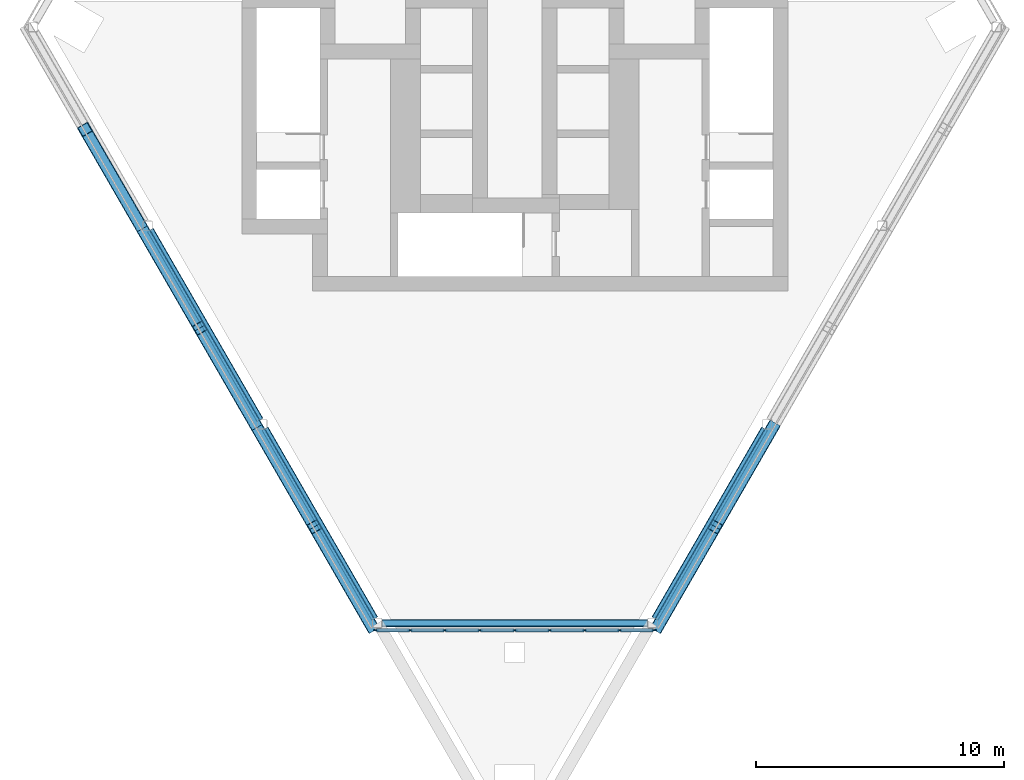
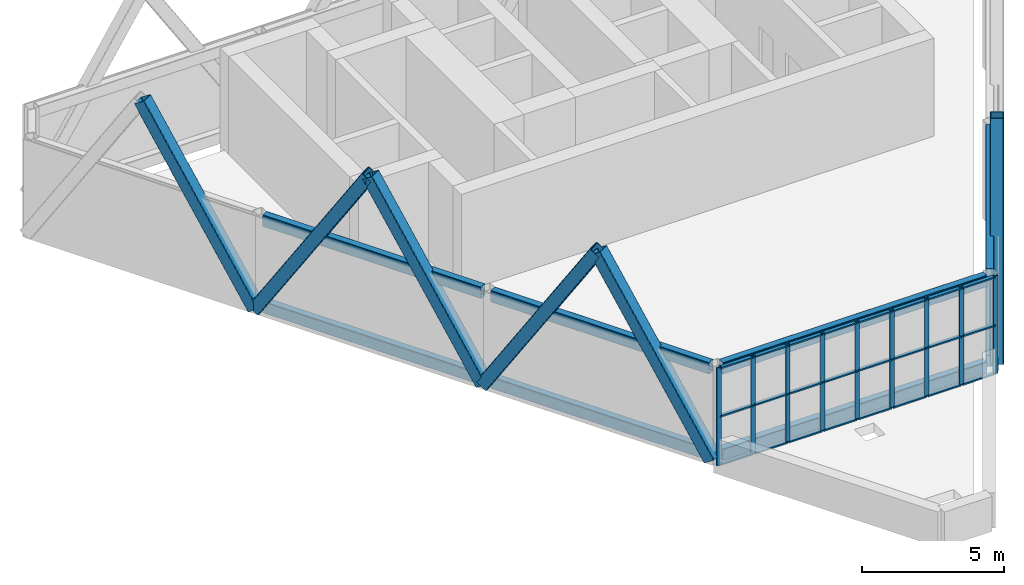
# One storey, part 2 of 5: 40 members, 8 beams, 1 element without a shape of its own.
"""IFC4 building model written with IfcOpenShell, lengths in metres."""

from ifc_helpers import new_model, si_unit, direction, frame, origin, origin_2d, place, context, subcontext, project, spatial, rectangle, hollow_rectangle, extrude, material, material_profile, profile_set, type_object, element, aggregate, save


model = new_model("IFC4")

# Units and contexts
model_context = context("Model", 3, precision=1e-05, world=origin(), true_north=direction((0.0, 1.0)))
body_context = subcontext(model_context, "Body", "Model", "MODEL_VIEW")
ifc_project = project(units=[si_unit("LENGTHUNIT", "METRE"), si_unit("AREAUNIT", "SQUARE_METRE"), si_unit("VOLUMEUNIT", "CUBIC_METRE"), si_unit("PLANEANGLEUNIT", "RADIAN"), si_unit("MASSUNIT", "GRAM", prefix="KILO")], contexts=[model_context])

# Site, building, storey
site_placement = place(None, origin())
site = spatial("IfcSite", under=ifc_project, at=site_placement, CompositionType="ELEMENT")
building_placement = place(site_placement, origin())
building = spatial("IfcBuilding", under=site, at=building_placement, Name="Aloe Facet Convention Tower", CompositionType="ELEMENT")
storey_placement = place(building_placement, frame((0.0, 0.0, 285.5)))
storey = spatial("IfcBuildingStorey", under=building, at=storey_placement, Name="C1", CompositionType="ELEMENT", Elevation=285.5)

# Curtain wall, members
ifc_material_1 = material(Name="Aluminium, anodised", Category="aluminium")
curtain_wall_type = type_object("IfcCurtainWallType", Name="EV-CW-CROWN", PredefinedType="USERDEFINED", material=ifc_material_1)
curtain_wall_placement = place(storey_placement, origin())
curtain_wall = element("IfcCurtainWall", 1, at=curtain_wall_placement, inside=storey, type_object=curtain_wall_type, Name="CW-C1-Z09", ObjectType="CROWN SCREEN GLAZING", PredefinedType="USERDEFINED")
ifc_material_2 = material(Name="Aluminium, anodised", Category="aluminium")
ifc_material_profile_1 = material_profile(ifc_material_2, rectangle(XDim=0.06005859375, YDim=0.179931640625, at=origin_2d()), Name="AL 60x180")
ifc_profile_set_1 = profile_set([ifc_material_profile_1], Name="Aluminium, anodised")
member_type_1 = type_object("IfcMemberType", Name="EV-MULL-CROWN", PredefinedType="MULLION", material=ifc_profile_set_1)
member_1_placement = place(storey_placement, frame((74.401611328125, 108.890625, 0.0), z_axis=(0.0, 0.0, 1.0), x_axis=(0.0, 1.0, 0.0)))
member_1 = element("IfcMember", 2, at=member_1_placement, type_object=member_type_1, Name="CW-C1-Z09 mullion 1", PredefinedType="MULLION", context=body_context, shape_type="SweptSolid", body=[
    extrude(rectangle(XDim=0.06005859375, YDim=0.179931640625, at=origin_2d()), origin(), (0.0, 0.0, 1.0), 4.199951171875),
])
member_2_placement = place(storey_placement, frame((75.77880859375, 108.890625, 0.0), z_axis=(0.0, 0.0, 1.0), x_axis=(0.0, 1.0, 0.0)))
member_2 = element("IfcMember", 3, at=member_2_placement, type_object=member_type_1, Name="CW-C1-Z09 mullion 2", PredefinedType="MULLION", context=body_context, shape_type="SweptSolid", body=[
    extrude(rectangle(XDim=0.06005859375, YDim=0.179931640625, at=origin_2d()), origin(), (0.0, 0.0, 1.0), 4.199951171875),
])
member_3_placement = place(storey_placement, frame((77.185791015625, 108.890625, 0.0), z_axis=(0.0, 0.0, 1.0), x_axis=(0.0, 1.0, 0.0)))
member_3 = element("IfcMember", 4, at=member_3_placement, type_object=member_type_1, Name="CW-C1-Z09 mullion 3", PredefinedType="MULLION", context=body_context, shape_type="SweptSolid", body=[
    extrude(rectangle(XDim=0.06005859375, YDim=0.179931640625, at=origin_2d()), origin(), (0.0, 0.0, 1.0), 4.199951171875),
])
member_4_placement = place(storey_placement, frame((78.593017578125, 108.890625, 0.0), z_axis=(0.0, 0.0, 1.0), x_axis=(0.0, 1.0, 0.0)))
member_4 = element("IfcMember", 5, at=member_4_placement, type_object=member_type_1, Name="CW-C1-Z09 mullion 4", PredefinedType="MULLION", context=body_context, shape_type="SweptSolid", body=[
    extrude(rectangle(XDim=0.06005859375, YDim=0.179931640625, at=origin_2d()), origin(), (0.0, 0.0, 1.0), 4.199951171875),
])
member_5_placement = place(storey_placement, frame((80.0, 108.890625, 0.0), z_axis=(0.0, 0.0, 1.0), x_axis=(0.0, 1.0, 0.0)))
member_5 = element("IfcMember", 6, at=member_5_placement, type_object=member_type_1, Name="CW-C1-Z09 mullion 5", PredefinedType="MULLION", context=body_context, shape_type="SweptSolid", body=[
    extrude(rectangle(XDim=0.06005859375, YDim=0.179931640625, at=origin_2d()), origin(), (0.0, 0.0, 1.0), 4.199951171875),
])
member_6_placement = place(storey_placement, frame((81.406982421875, 108.890625, 0.0), z_axis=(0.0, 0.0, 1.0), x_axis=(0.0, 1.0, 0.0)))
member_6 = element("IfcMember", 7, at=member_6_placement, type_object=member_type_1, Name="CW-C1-Z09 mullion 6", PredefinedType="MULLION", context=body_context, shape_type="SweptSolid", body=[
    extrude(rectangle(XDim=0.06005859375, YDim=0.179931640625, at=origin_2d()), origin(), (0.0, 0.0, 1.0), 4.199951171875),
])
member_7_placement = place(storey_placement, frame((82.814208984375, 108.890625, 0.0), z_axis=(0.0, 0.0, 1.0), x_axis=(0.0, 1.0, 0.0)))
member_7 = element("IfcMember", 8, at=member_7_placement, type_object=member_type_1, Name="CW-C1-Z09 mullion 7", PredefinedType="MULLION", context=body_context, shape_type="SweptSolid", body=[
    extrude(rectangle(XDim=0.06005859375, YDim=0.179931640625, at=origin_2d()), origin(), (0.0, 0.0, 1.0), 4.199951171875),
])
member_8_placement = place(storey_placement, frame((84.22119140625, 108.890625, 0.0), z_axis=(0.0, 0.0, 1.0), x_axis=(0.0, 1.0, 0.0)))
member_8 = element("IfcMember", 9, at=member_8_placement, type_object=member_type_1, Name="CW-C1-Z09 mullion 8", PredefinedType="MULLION", context=body_context, shape_type="SweptSolid", body=[
    extrude(rectangle(XDim=0.06005859375, YDim=0.179931640625, at=origin_2d()), origin(), (0.0, 0.0, 1.0), 4.199951171875),
])
member_9_placement = place(storey_placement, frame((85.598388671875, 108.890625, 0.0), z_axis=(0.0, 0.0, 1.0), x_axis=(0.0, 1.0, 0.0)))
member_9 = element("IfcMember", 10, at=member_9_placement, type_object=member_type_1, Name="CW-C1-Z09 mullion 9", PredefinedType="MULLION", context=body_context, shape_type="SweptSolid", body=[
    extrude(rectangle(XDim=0.06005859375, YDim=0.179931640625, at=origin_2d()), origin(), (0.0, 0.0, 1.0), 4.199951171875),
])
ifc_material_3 = material(Name="Aluminium, anodised", Category="aluminium")
ifc_material_profile_2 = material_profile(ifc_material_3, rectangle(XDim=0.139892578125, YDim=0.06005859375, at=origin_2d()), Name="AL 140x60")
ifc_profile_set_2 = profile_set([ifc_material_profile_2], Name="Aluminium, anodised")
member_type_2 = type_object("IfcMemberType", Name="EV-TRAN-CROWN", PredefinedType="USERDEFINED", material=ifc_profile_set_2)
member_10_placement = place(storey_placement, frame((74.431640625, 108.890625, 0.030029296875), z_axis=(1.0, 0.0, 0.0), x_axis=(0.0, 1.0, 0.0)))
member_10 = element("IfcMember", 11, at=member_10_placement, type_object=member_type_2, Name="CW-C1-Z09 transom 1.1", ObjectType="TRANSOM", PredefinedType="USERDEFINED", context=body_context, shape_type="SweptSolid", body=[
    extrude(rectangle(XDim=0.139892578125, YDim=0.06005859375, at=origin_2d()), origin(), (0.0, 0.0, 1.0), 1.317138671875),
])
member_11_placement = place(storey_placement, frame((74.431640625, 108.890625, 2.10009765625), z_axis=(1.0, 0.0, 0.0), x_axis=(0.0, 1.0, 0.0)))
member_11 = element("IfcMember", 12, at=member_11_placement, type_object=member_type_2, Name="CW-C1-Z09 transom 1.2", ObjectType="TRANSOM", PredefinedType="USERDEFINED", context=body_context, shape_type="SweptSolid", body=[
    extrude(rectangle(XDim=0.139892578125, YDim=0.06005859375, at=origin_2d()), origin(), (0.0, 0.0, 1.0), 1.317138671875),
])
member_12_placement = place(storey_placement, frame((74.431640625, 108.890625, 4.169921875), z_axis=(1.0, 0.0, 0.0), x_axis=(0.0, 1.0, 0.0)))
member_12 = element("IfcMember", 13, at=member_12_placement, type_object=member_type_2, Name="CW-C1-Z09 transom 1.3", ObjectType="TRANSOM", PredefinedType="USERDEFINED", context=body_context, shape_type="SweptSolid", body=[
    extrude(rectangle(XDim=0.139892578125, YDim=0.06005859375, at=origin_2d()), origin(), (0.0, 0.0, 1.0), 1.317138671875),
])
member_13_placement = place(storey_placement, frame((75.808837890625, 108.890625, 0.030029296875), z_axis=(1.0, 0.0, 0.0), x_axis=(0.0, 1.0, 0.0)))
member_13 = element("IfcMember", 14, at=member_13_placement, type_object=member_type_2, Name="CW-C1-Z09 transom 2.1", ObjectType="TRANSOM", PredefinedType="USERDEFINED", context=body_context, shape_type="SweptSolid", body=[
    extrude(rectangle(XDim=0.139892578125, YDim=0.06005859375, at=origin_2d()), origin(), (0.0, 0.0, 1.0), 1.346923828125),
])
member_14_placement = place(storey_placement, frame((75.808837890625, 108.890625, 2.10009765625), z_axis=(1.0, 0.0, 0.0), x_axis=(0.0, 1.0, 0.0)))
member_14 = element("IfcMember", 15, at=member_14_placement, type_object=member_type_2, Name="CW-C1-Z09 transom 2.2", ObjectType="TRANSOM", PredefinedType="USERDEFINED", context=body_context, shape_type="SweptSolid", body=[
    extrude(rectangle(XDim=0.139892578125, YDim=0.06005859375, at=origin_2d()), origin(), (0.0, 0.0, 1.0), 1.346923828125),
])
member_15_placement = place(storey_placement, frame((75.808837890625, 108.890625, 4.169921875), z_axis=(1.0, 0.0, 0.0), x_axis=(0.0, 1.0, 0.0)))
member_15 = element("IfcMember", 16, at=member_15_placement, type_object=member_type_2, Name="CW-C1-Z09 transom 2.3", ObjectType="TRANSOM", PredefinedType="USERDEFINED", context=body_context, shape_type="SweptSolid", body=[
    extrude(rectangle(XDim=0.139892578125, YDim=0.06005859375, at=origin_2d()), origin(), (0.0, 0.0, 1.0), 1.346923828125),
])
member_16_placement = place(storey_placement, frame((77.2158203125, 108.890625, 0.030029296875), z_axis=(1.0, 0.0, 0.0), x_axis=(0.0, 1.0, 0.0)))
member_16 = element("IfcMember", 17, at=member_16_placement, type_object=member_type_2, Name="CW-C1-Z09 transom 3.1", ObjectType="TRANSOM", PredefinedType="USERDEFINED", context=body_context, shape_type="SweptSolid", body=[
    extrude(rectangle(XDim=0.139892578125, YDim=0.06005859375, at=origin_2d()), origin(), (0.0, 0.0, 1.0), 1.34716796875),
])
member_17_placement = place(storey_placement, frame((77.2158203125, 108.890625, 2.10009765625), z_axis=(1.0, 0.0, 0.0), x_axis=(0.0, 1.0, 0.0)))
member_17 = element("IfcMember", 18, at=member_17_placement, type_object=member_type_2, Name="CW-C1-Z09 transom 3.2", ObjectType="TRANSOM", PredefinedType="USERDEFINED", context=body_context, shape_type="SweptSolid", body=[
    extrude(rectangle(XDim=0.139892578125, YDim=0.06005859375, at=origin_2d()), origin(), (0.0, 0.0, 1.0), 1.34716796875),
])
member_18_placement = place(storey_placement, frame((77.2158203125, 108.890625, 4.169921875), z_axis=(1.0, 0.0, 0.0), x_axis=(0.0, 1.0, 0.0)))
member_18 = element("IfcMember", 19, at=member_18_placement, type_object=member_type_2, Name="CW-C1-Z09 transom 3.3", ObjectType="TRANSOM", PredefinedType="USERDEFINED", context=body_context, shape_type="SweptSolid", body=[
    extrude(rectangle(XDim=0.139892578125, YDim=0.06005859375, at=origin_2d()), origin(), (0.0, 0.0, 1.0), 1.34716796875),
])
member_19_placement = place(storey_placement, frame((78.622802734375, 108.890625, 0.030029296875), z_axis=(1.0, 0.0, 0.0), x_axis=(0.0, 1.0, 0.0)))
member_19 = element("IfcMember", 20, at=member_19_placement, type_object=member_type_2, Name="CW-C1-Z09 transom 4.1", ObjectType="TRANSOM", PredefinedType="USERDEFINED", context=body_context, shape_type="SweptSolid", body=[
    extrude(rectangle(XDim=0.139892578125, YDim=0.06005859375, at=origin_2d()), origin(), (0.0, 0.0, 1.0), 1.34716796875),
])
member_20_placement = place(storey_placement, frame((78.622802734375, 108.890625, 2.10009765625), z_axis=(1.0, 0.0, 0.0), x_axis=(0.0, 1.0, 0.0)))
member_20 = element("IfcMember", 21, at=member_20_placement, type_object=member_type_2, Name="CW-C1-Z09 transom 4.2", ObjectType="TRANSOM", PredefinedType="USERDEFINED", context=body_context, shape_type="SweptSolid", body=[
    extrude(rectangle(XDim=0.139892578125, YDim=0.06005859375, at=origin_2d()), origin(), (0.0, 0.0, 1.0), 1.34716796875),
])
member_21_placement = place(storey_placement, frame((78.622802734375, 108.890625, 4.169921875), z_axis=(1.0, 0.0, 0.0), x_axis=(0.0, 1.0, 0.0)))
member_21 = element("IfcMember", 22, at=member_21_placement, type_object=member_type_2, Name="CW-C1-Z09 transom 4.3", ObjectType="TRANSOM", PredefinedType="USERDEFINED", context=body_context, shape_type="SweptSolid", body=[
    extrude(rectangle(XDim=0.139892578125, YDim=0.06005859375, at=origin_2d()), origin(), (0.0, 0.0, 1.0), 1.34716796875),
])
member_22_placement = place(storey_placement, frame((80.030029296875, 108.890625, 0.030029296875), z_axis=(1.0, 0.0, 0.0), x_axis=(0.0, 1.0, 0.0)))
member_22 = element("IfcMember", 23, at=member_22_placement, type_object=member_type_2, Name="CW-C1-Z09 transom 5.1", ObjectType="TRANSOM", PredefinedType="USERDEFINED", context=body_context, shape_type="SweptSolid", body=[
    extrude(rectangle(XDim=0.139892578125, YDim=0.06005859375, at=origin_2d()), origin(), (0.0, 0.0, 1.0), 1.34716796875),
])
member_23_placement = place(storey_placement, frame((80.030029296875, 108.890625, 2.10009765625), z_axis=(1.0, 0.0, 0.0), x_axis=(0.0, 1.0, 0.0)))
member_23 = element("IfcMember", 24, at=member_23_placement, type_object=member_type_2, Name="CW-C1-Z09 transom 5.2", ObjectType="TRANSOM", PredefinedType="USERDEFINED", context=body_context, shape_type="SweptSolid", body=[
    extrude(rectangle(XDim=0.139892578125, YDim=0.06005859375, at=origin_2d()), origin(), (0.0, 0.0, 1.0), 1.34716796875),
])
member_24_placement = place(storey_placement, frame((80.030029296875, 108.890625, 4.169921875), z_axis=(1.0, 0.0, 0.0), x_axis=(0.0, 1.0, 0.0)))
member_24 = element("IfcMember", 25, at=member_24_placement, type_object=member_type_2, Name="CW-C1-Z09 transom 5.3", ObjectType="TRANSOM", PredefinedType="USERDEFINED", context=body_context, shape_type="SweptSolid", body=[
    extrude(rectangle(XDim=0.139892578125, YDim=0.06005859375, at=origin_2d()), origin(), (0.0, 0.0, 1.0), 1.34716796875),
])
member_25_placement = place(storey_placement, frame((81.43701171875, 108.890625, 0.030029296875), z_axis=(1.0, 0.0, 0.0), x_axis=(0.0, 1.0, 0.0)))
member_25 = element("IfcMember", 26, at=member_25_placement, type_object=member_type_2, Name="CW-C1-Z09 transom 6.1", ObjectType="TRANSOM", PredefinedType="USERDEFINED", context=body_context, shape_type="SweptSolid", body=[
    extrude(rectangle(XDim=0.139892578125, YDim=0.06005859375, at=origin_2d()), origin(), (0.0, 0.0, 1.0), 1.34716796875),
])
member_26_placement = place(storey_placement, frame((81.43701171875, 108.890625, 2.10009765625), z_axis=(1.0, 0.0, 0.0), x_axis=(0.0, 1.0, 0.0)))
member_26 = element("IfcMember", 27, at=member_26_placement, type_object=member_type_2, Name="CW-C1-Z09 transom 6.2", ObjectType="TRANSOM", PredefinedType="USERDEFINED", context=body_context, shape_type="SweptSolid", body=[
    extrude(rectangle(XDim=0.139892578125, YDim=0.06005859375, at=origin_2d()), origin(), (0.0, 0.0, 1.0), 1.34716796875),
])
member_27_placement = place(storey_placement, frame((81.43701171875, 108.890625, 4.169921875), z_axis=(1.0, 0.0, 0.0), x_axis=(0.0, 1.0, 0.0)))
member_27 = element("IfcMember", 28, at=member_27_placement, type_object=member_type_2, Name="CW-C1-Z09 transom 6.3", ObjectType="TRANSOM", PredefinedType="USERDEFINED", context=body_context, shape_type="SweptSolid", body=[
    extrude(rectangle(XDim=0.139892578125, YDim=0.06005859375, at=origin_2d()), origin(), (0.0, 0.0, 1.0), 1.34716796875),
])
member_28_placement = place(storey_placement, frame((82.84423828125, 108.890625, 0.030029296875), z_axis=(1.0, 0.0, 0.0), x_axis=(0.0, 1.0, 0.0)))
member_28 = element("IfcMember", 29, at=member_28_placement, type_object=member_type_2, Name="CW-C1-Z09 transom 7.1", ObjectType="TRANSOM", PredefinedType="USERDEFINED", context=body_context, shape_type="SweptSolid", body=[
    extrude(rectangle(XDim=0.139892578125, YDim=0.06005859375, at=origin_2d()), origin(), (0.0, 0.0, 1.0), 1.346923828125),
])
member_29_placement = place(storey_placement, frame((82.84423828125, 108.890625, 2.10009765625), z_axis=(1.0, 0.0, 0.0), x_axis=(0.0, 1.0, 0.0)))
member_29 = element("IfcMember", 30, at=member_29_placement, type_object=member_type_2, Name="CW-C1-Z09 transom 7.2", ObjectType="TRANSOM", PredefinedType="USERDEFINED", context=body_context, shape_type="SweptSolid", body=[
    extrude(rectangle(XDim=0.139892578125, YDim=0.06005859375, at=origin_2d()), origin(), (0.0, 0.0, 1.0), 1.346923828125),
])
member_30_placement = place(storey_placement, frame((82.84423828125, 108.890625, 4.169921875), z_axis=(1.0, 0.0, 0.0), x_axis=(0.0, 1.0, 0.0)))
member_30 = element("IfcMember", 31, at=member_30_placement, type_object=member_type_2, Name="CW-C1-Z09 transom 7.3", ObjectType="TRANSOM", PredefinedType="USERDEFINED", context=body_context, shape_type="SweptSolid", body=[
    extrude(rectangle(XDim=0.139892578125, YDim=0.06005859375, at=origin_2d()), origin(), (0.0, 0.0, 1.0), 1.346923828125),
])
member_31_placement = place(storey_placement, frame((84.251220703125, 108.890625, 0.030029296875), z_axis=(1.0, 0.0, 0.0), x_axis=(0.0, 1.0, 0.0)))
member_31 = element("IfcMember", 32, at=member_31_placement, type_object=member_type_2, Name="CW-C1-Z09 transom 8.1", ObjectType="TRANSOM", PredefinedType="USERDEFINED", context=body_context, shape_type="SweptSolid", body=[
    extrude(rectangle(XDim=0.139892578125, YDim=0.06005859375, at=origin_2d()), origin(), (0.0, 0.0, 1.0), 1.317138671875),
])
member_32_placement = place(storey_placement, frame((84.251220703125, 108.890625, 2.10009765625), z_axis=(1.0, 0.0, 0.0), x_axis=(0.0, 1.0, 0.0)))
member_32 = element("IfcMember", 33, at=member_32_placement, type_object=member_type_2, Name="CW-C1-Z09 transom 8.2", ObjectType="TRANSOM", PredefinedType="USERDEFINED", context=body_context, shape_type="SweptSolid", body=[
    extrude(rectangle(XDim=0.139892578125, YDim=0.06005859375, at=origin_2d()), origin(), (0.0, 0.0, 1.0), 1.317138671875),
])
member_33_placement = place(storey_placement, frame((84.251220703125, 108.890625, 4.169921875), z_axis=(1.0, 0.0, 0.0), x_axis=(0.0, 1.0, 0.0)))
member_33 = element("IfcMember", 34, at=member_33_placement, type_object=member_type_2, Name="CW-C1-Z09 transom 8.3", ObjectType="TRANSOM", PredefinedType="USERDEFINED", context=body_context, shape_type="SweptSolid", body=[
    extrude(rectangle(XDim=0.139892578125, YDim=0.06005859375, at=origin_2d()), origin(), (0.0, 0.0, 1.0), 1.317138671875),
])
aggregate(curtain_wall, [member_1, member_2, member_3, member_4, member_5, member_6, member_7, member_8, member_9, member_10, member_11, member_12, member_13, member_14, member_15, member_16, member_17, member_18, member_19, member_20, member_21, member_22, member_23, member_24, member_25, member_26, member_27, member_28, member_29, member_30, member_31, member_32, member_33])

# Members
ifc_material_4 = material(Name="Steel S355, bronze oxide finish", Category="steel")
ifc_material_profile_3 = material_profile(ifc_material_4, hollow_rectangle(XDim=0.5, YDim=0.5, WallThickness=0.02490234375, InnerFilletRadius=0.02490234375, OuterFilletRadius=0.050048828125, at=origin_2d()), Name="SHS 500x500x25")
ifc_profile_set_3 = profile_set([ifc_material_profile_3], Name="Steel S355, bronze oxide finish")
member_type_3 = type_object("IfcMemberType", Name="STW-CROWN FRAME BRACE", PredefinedType="BRACE", material=ifc_profile_set_3)
member_34_placement = place(storey_placement, frame((64.9921875, 125.06494140625, 0.25), z_axis=(-0.26745193794, 0.463244275815, 0.844910765594), x_axis=(-0.866027240882, -0.49999681804, 0.0)))
element("IfcMember", 35, at=member_34_placement, inside=storey, type_object=member_type_3, Name="Crown frame brace CF-B-B06-N2", PredefinedType="BRACE", context=body_context, shape_type="SweptSolid", body=[
    extrude(hollow_rectangle(XDim=0.5, YDim=0.5, WallThickness=0.02490234375, InnerFilletRadius=0.02490234375, OuterFilletRadius=0.050048828125, at=origin_2d()), origin(), (0.0, 0.0, 1.0), 8.64013671875),
])
member_35_placement = place(storey_placement, frame((64.9921875, 125.06494140625, 0.25), z_axis=(0.267429202518, -0.463225582933, 0.844928210534), x_axis=(0.866036909293, 0.499980071345, 0.0)))
element("IfcMember", 36, at=member_35_placement, inside=storey, type_object=member_type_3, Name="Crown frame brace CF-B-B07-N1", PredefinedType="BRACE", context=body_context, shape_type="SweptSolid", body=[
    extrude(hollow_rectangle(XDim=0.5, YDim=0.5, WallThickness=0.02490234375, InnerFilletRadius=0.02490234375, OuterFilletRadius=0.050048828125, at=origin_2d()), origin(), (0.0, 0.0, 1.0), 8.639892578125),
])
for number, where, z_axis, x_axis, name in (
    (37, (69.613525390625, 117.060302734375, 0.25), (-0.26745193794, 0.463244275815, 0.844910765594), (-0.866027240882, -0.49999681804, 0.0), "Crown frame brace CF-B-B07-N2"),
    (38, (69.613525390625, 117.060302734375, 0.25), (0.26745193794, -0.463244275815, 0.844910765594), (0.866027240882, 0.49999681804, 0.0), "Crown frame brace CF-B-B08-N1"),
    (39, (74.235107421875, 109.055419921875, 0.25), (-0.26745193794, 0.463244275815, 0.844910765594), (-0.866027240882, -0.49999681804, 0.0), "Crown frame brace CF-B-B08-N2"),
    (40, (85.764892578125, 109.055419921875, 0.25), (0.26745193794, 0.463244275815, 0.844910765594), (-0.866027240882, 0.49999681804, 0.0), "Crown frame brace CF-B-B10-N1"),
    (41, (90.386474609375, 117.060302734375, 0.25), (-0.26745193794, -0.463244275815, 0.844910765594), (0.866027240882, -0.49999681804, 0.0), "Crown frame brace CF-B-B10-N2"),
):
    element("IfcMember", number, at=place(storey_placement, frame(where, z_axis=z_axis, x_axis=x_axis)), inside=storey, type_object=member_type_3, Name=name, PredefinedType="BRACE", context=body_context, shape_type="SweptSolid", body=[
        extrude(hollow_rectangle(XDim=0.5, YDim=0.5, WallThickness=0.02490234375, InnerFilletRadius=0.02490234375, OuterFilletRadius=0.050048828125, at=origin_2d()), origin(), (0.0, 0.0, 1.0), 8.64013671875),
    ])

# Beams
ifc_material_5 = material(Name="Steel S355, bronze oxide finish", Category="steel")
ifc_material_profile_4 = material_profile(ifc_material_5, hollow_rectangle(XDim=0.300048828125, YDim=0.5, WallThickness=0.02001953125, InnerFilletRadius=0.02001953125, OuterFilletRadius=0.0400390625, at=origin_2d()), Name="RHS 500x300x20")
ifc_profile_set_4 = profile_set([ifc_material_profile_4], Name="Steel S355, bronze oxide finish")
beam_type = type_object("IfcBeamType", Name="STW-CROWN FRAME RING", PredefinedType="BEAM", material=ifc_profile_set_4)
for number, where, z_axis, x_axis, name in (
    (42, (65.30859375, 125.016845703125, 0.25), (0.500002058268, -0.866024215439, 0.0), (0.866024215439, 0.500002058268, 0.0), "Crown frame ring CF-R-B07-C1"),
    (43, (65.30859375, 125.016845703125, 3.949951171875), (0.500002058268, -0.866024215439, 0.0), (0.866024215439, 0.500002058268, 0.0), "Crown frame ring CF-R-B07-C2"),
):
    element("IfcBeam", number, at=place(storey_placement, frame(where, z_axis=z_axis, x_axis=x_axis)), inside=storey, type_object=beam_type, Name=name, PredefinedType="BEAM", context=body_context, shape_type="SweptSolid", body=[
        extrude(hollow_rectangle(XDim=0.300048828125, YDim=0.5, WallThickness=0.02001953125, InnerFilletRadius=0.02001953125, OuterFilletRadius=0.0400390625, at=origin_2d()), origin(), (0.0, 0.0, 1.0), 8.84326171875),
    ])
for number, where, z_axis, x_axis, name in (
    (44, (69.93017578125, 117.011962890625, 0.25), (0.49999330673, -0.866029268111, 0.0), (0.866029268111, 0.49999330673, 0.0), "Crown frame ring CF-R-B08-C1"),
    (45, (69.93017578125, 117.011962890625, 3.949951171875), (0.49999330673, -0.866029268111, 0.0), (0.866029268111, 0.49999330673, 0.0), "Crown frame ring CF-R-B08-C2"),
):
    element("IfcBeam", number, at=place(storey_placement, frame(where, z_axis=z_axis, x_axis=x_axis)), inside=storey, type_object=beam_type, Name=name, PredefinedType="BEAM", context=body_context, shape_type="SweptSolid", body=[
        extrude(hollow_rectangle(XDim=0.300048828125, YDim=0.5, WallThickness=0.02001953125, InnerFilletRadius=0.02001953125, OuterFilletRadius=0.0400390625, at=origin_2d()), origin(), (0.0, 0.0, 1.0), 8.8427734375),
    ])
for number, where, z_axis, x_axis, name in (
    (46, (74.651611328125, 109.180419921875, 0.25), (1.0, 0.0, 0.0), (0.0, 1.0, 0.0), "Crown frame ring CF-R-B09-C1"),
    (47, (74.651611328125, 109.180419921875, 3.949951171875), (1.0, 0.0, 0.0), (0.0, 1.0, 0.0), "Crown frame ring CF-R-B09-C2"),
):
    element("IfcBeam", number, at=place(storey_placement, frame(where, z_axis=z_axis, x_axis=x_axis)), inside=storey, type_object=beam_type, Name=name, PredefinedType="BEAM", context=body_context, shape_type="SweptSolid", body=[
        extrude(hollow_rectangle(XDim=0.300048828125, YDim=0.5, WallThickness=0.02001953125, InnerFilletRadius=0.02001953125, OuterFilletRadius=0.0400390625, at=origin_2d()), origin(), (0.0, 0.0, 1.0), 10.69677734375),
    ])
for number, where, z_axis, x_axis, name in (
    (48, (85.6484375, 109.353759765625, 0.25), (0.49999330673, 0.866029268111, 0.0), (-0.866029268111, 0.49999330673, 0.0), "Crown frame ring CF-R-B10-C1"),
    (49, (85.6484375, 109.353759765625, 3.949951171875), (0.49999330673, 0.866029268111, 0.0), (-0.866029268111, 0.49999330673, 0.0), "Crown frame ring CF-R-B10-C2"),
):
    element("IfcBeam", number, at=place(storey_placement, frame(where, z_axis=z_axis, x_axis=x_axis)), inside=storey, type_object=beam_type, Name=name, PredefinedType="BEAM", context=body_context, shape_type="SweptSolid", body=[
        extrude(hollow_rectangle(XDim=0.300048828125, YDim=0.5, WallThickness=0.02001953125, InnerFilletRadius=0.02001953125, OuterFilletRadius=0.0400390625, at=origin_2d()), origin(), (0.0, 0.0, 1.0), 8.8427734375),
    ])

save(model, "model.ifc")
